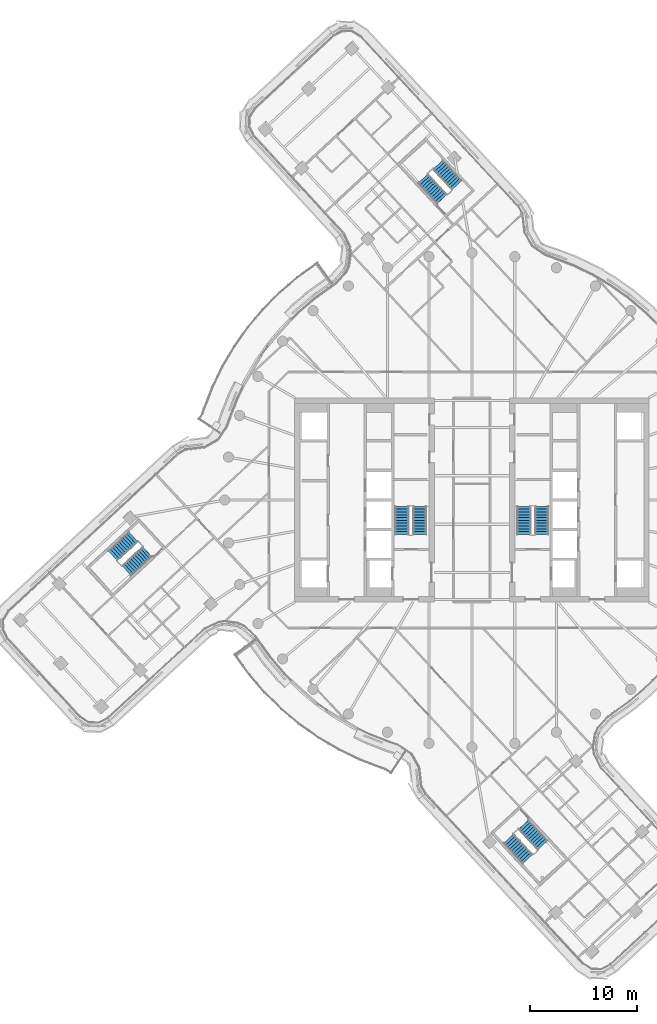
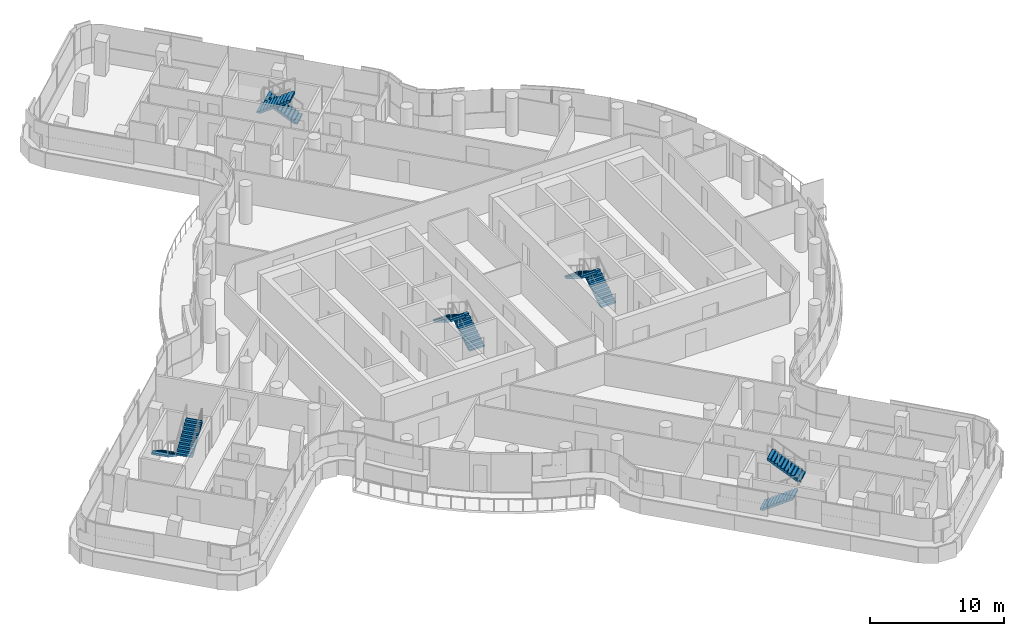
# One storey, part 26 of 34: 10 stair flights, 5 elements without a shape of their own.
"""IFC4 building model written with IfcOpenShell, lengths in metres."""

from ifc_helpers import new_model, si_unit, direction, frame, origin, place, context, subcontext, project, spatial, polyline, outline, extrude, material, type_object, element, aggregate, save


model = new_model("IFC4")

# Units and contexts
model_context = context("Model", 3, precision=1e-05, world=origin(), true_north=direction((0.0, 1.0)))
body_context = subcontext(model_context, "Body", "Model", "MODEL_VIEW")
ifc_project = project(units=[si_unit("LENGTHUNIT", "METRE"), si_unit("AREAUNIT", "SQUARE_METRE"), si_unit("VOLUMEUNIT", "CUBIC_METRE"), si_unit("PLANEANGLEUNIT", "RADIAN"), si_unit("MASSUNIT", "GRAM", prefix="KILO")], contexts=[model_context])

# Site, building, storey
site_placement = place(None, origin())
site = spatial("IfcSite", under=ifc_project, at=site_placement, CompositionType="ELEMENT")
building_placement = place(site_placement, origin())
building = spatial("IfcBuilding", under=site, at=building_placement, Name="Tamarind Cross Interchange Tower", CompositionType="ELEMENT")
storey_placement = place(building_placement, frame((0.0, 0.0, 189.699951171875)))
storey = spatial("IfcBuildingStorey", under=building, at=storey_placement, Name="L47", CompositionType="ELEMENT", Elevation=189.699951171875)

# Stair, stair flights
ifc_material_1 = material(Name="Exit stair")
stair_type = type_object("IfcStairType", Name="Exit stair", PredefinedType="HALF_TURN_STAIR", material=ifc_material_1)
stair_1_placement = place(storey_placement, origin())
stair_1 = element("IfcStair", 1, at=stair_1_placement, inside=storey, type_object=stair_type, Name="L47 exit stair ST1", PredefinedType="HALF_TURN_STAIR")
ifc_material_2 = material(Name="Exit stair flight")
stair_flight_type = type_object("IfcStairFlightType", Name="Exit stair flight", PredefinedType="STRAIGHT", material=ifc_material_2)
stair_flight_1_placement = place(storey_placement, frame((-4.85009765625, -3.199951171875, 0.0), z_axis=(0.0, 0.0, 1.0), x_axis=(0.0, 1.0, 0.0)))
stair_flight_1 = element("IfcStairFlight", 2, at=stair_flight_1_placement, type_object=stair_flight_type, Name="ST1 flight 1", NumberOfRisers=11, NumberOfTreads=10, PredefinedType="STRAIGHT", RiserHeight=0.163636364, TreadLength=0.26, context=body_context, shape_type="SweptSolid", body=[
    extrude(outline(polyline([(0.0, 0.0), (0.0, 0.16357421875), (0.260009765625, 0.16357421875), (0.260009765625, 0.327392578125), (0.52001953125, 0.327392578125), (0.52001953125, 0.490966796875), (0.780029296875, 0.490966796875), (0.780029296875, 0.654541015625), (1.0400390625, 0.654541015625), (1.0400390625, 0.818115234375), (1.300048828125, 0.818115234375), (1.300048828125, 0.98193359375), (1.56005859375, 0.98193359375), (1.56005859375, 1.1455078125), (1.820068359375, 1.1455078125), (1.820068359375, 1.30908203125), (2.080078125, 1.30908203125), (2.080078125, 1.47265625), (2.340087890625, 1.47265625), (2.340087890625, 1.636474609375), (2.60009765625, 1.636474609375), (2.60009765625, 1.800048828125), (2.60009765625, 1.459228515625), (0.281494140625, 0.0), (0.0, 0.0)])), frame((0.0, 0.64990234375, 0.0), z_axis=(0.0, -1.0, 0.0), x_axis=(1.0, 0.0, 0.0)), (0.0, 0.0, 1.0), 1.300048828125),
])
stair_flight_2_placement = place(storey_placement, frame((-6.5, -0.60009765625, 1.800048828125), z_axis=(0.0, 0.0, 1.0), x_axis=(0.0, -1.0, 0.0)))
stair_flight_2 = element("IfcStairFlight", 3, at=stair_flight_2_placement, type_object=stair_flight_type, Name="ST1 flight 2", NumberOfRisers=11, NumberOfTreads=10, PredefinedType="STRAIGHT", RiserHeight=0.163636364, TreadLength=0.26, context=body_context, shape_type="SweptSolid", body=[
    extrude(outline(polyline([(0.0, 0.0), (0.0, 0.16357421875), (0.260009765625, 0.16357421875), (0.260009765625, 0.327392578125), (0.52001953125, 0.327392578125), (0.52001953125, 0.490966796875), (0.780029296875, 0.490966796875), (0.780029296875, 0.654541015625), (1.0400390625, 0.654541015625), (1.0400390625, 0.818115234375), (1.300048828125, 0.818115234375), (1.300048828125, 0.98193359375), (1.56005859375, 0.98193359375), (1.56005859375, 1.1455078125), (1.820068359375, 1.1455078125), (1.820068359375, 1.30908203125), (2.080078125, 1.30908203125), (2.080078125, 1.47265625), (2.340087890625, 1.47265625), (2.340087890625, 1.636474609375), (2.60009765625, 1.636474609375), (2.60009765625, 1.679931640625), (2.612060546875, 1.679931640625), (2.612060546875, 1.466796875), (0.281494140625, 0.0), (0.0, 0.0)])), frame((0.0, 0.64990234375, 0.0), z_axis=(0.0, -1.0, 0.0), x_axis=(1.0, 0.0, 0.0)), (0.0, 0.0, 1.0), 1.300048828125),
])
aggregate(stair_1, [stair_flight_1, stair_flight_2])

stair_2_placement = place(storey_placement, origin())
stair_2 = element("IfcStair", 4, at=stair_2_placement, inside=storey, type_object=stair_type, Name="L47 exit stair ST2", PredefinedType="HALF_TURN_STAIR")
stair_flight_3_placement = place(storey_placement, frame((6.5, -3.199951171875, 0.0), z_axis=(0.0, 0.0, 1.0), x_axis=(0.0, 1.0, 0.0)))
stair_flight_3 = element("IfcStairFlight", 5, at=stair_flight_3_placement, type_object=stair_flight_type, Name="ST2 flight 1", NumberOfRisers=11, NumberOfTreads=10, PredefinedType="STRAIGHT", RiserHeight=0.163636364, TreadLength=0.26, context=body_context, shape_type="SweptSolid", body=[
    extrude(outline(polyline([(0.0, 0.0), (0.0, 0.16357421875), (0.260009765625, 0.16357421875), (0.260009765625, 0.327392578125), (0.52001953125, 0.327392578125), (0.52001953125, 0.490966796875), (0.780029296875, 0.490966796875), (0.780029296875, 0.654541015625), (1.0400390625, 0.654541015625), (1.0400390625, 0.818115234375), (1.300048828125, 0.818115234375), (1.300048828125, 0.98193359375), (1.56005859375, 0.98193359375), (1.56005859375, 1.1455078125), (1.820068359375, 1.1455078125), (1.820068359375, 1.30908203125), (2.080078125, 1.30908203125), (2.080078125, 1.47265625), (2.340087890625, 1.47265625), (2.340087890625, 1.636474609375), (2.60009765625, 1.636474609375), (2.60009765625, 1.800048828125), (2.60009765625, 1.459228515625), (0.281494140625, 0.0), (0.0, 0.0)])), frame((0.0, 0.64990234375, 0.0), z_axis=(0.0, -1.0, 0.0), x_axis=(1.0, 0.0, 0.0)), (0.0, 0.0, 1.0), 1.300048828125),
])
stair_flight_4_placement = place(storey_placement, frame((4.85009765625, -0.60009765625, 1.800048828125), z_axis=(0.0, 0.0, 1.0), x_axis=(0.0, -1.0, 0.0)))
stair_flight_4 = element("IfcStairFlight", 6, at=stair_flight_4_placement, type_object=stair_flight_type, Name="ST2 flight 2", NumberOfRisers=11, NumberOfTreads=10, PredefinedType="STRAIGHT", RiserHeight=0.163636364, TreadLength=0.26, context=body_context, shape_type="SweptSolid", body=[
    extrude(outline(polyline([(0.0, 0.0), (0.0, 0.16357421875), (0.260009765625, 0.16357421875), (0.260009765625, 0.327392578125), (0.52001953125, 0.327392578125), (0.52001953125, 0.490966796875), (0.780029296875, 0.490966796875), (0.780029296875, 0.654541015625), (1.0400390625, 0.654541015625), (1.0400390625, 0.818115234375), (1.300048828125, 0.818115234375), (1.300048828125, 0.98193359375), (1.56005859375, 0.98193359375), (1.56005859375, 1.1455078125), (1.820068359375, 1.1455078125), (1.820068359375, 1.30908203125), (2.080078125, 1.30908203125), (2.080078125, 1.47265625), (2.340087890625, 1.47265625), (2.340087890625, 1.636474609375), (2.60009765625, 1.636474609375), (2.60009765625, 1.679931640625), (2.612060546875, 1.679931640625), (2.612060546875, 1.466796875), (0.281494140625, 0.0), (0.0, 0.0)])), frame((0.0, 0.64990234375, 0.0), z_axis=(0.0, -1.0, 0.0), x_axis=(1.0, 0.0, 0.0)), (0.0, 0.0, 1.0), 1.300048828125),
])
aggregate(stair_2, [stair_flight_3, stair_flight_4])

stair_3_placement = place(storey_placement, origin())
stair_3 = element("IfcStair", 7, at=stair_3_placement, inside=storey, type_object=stair_type, Name="L47 exit stair ST4", PredefinedType="HALF_TURN_STAIR")
stair_flight_5_placement = place(storey_placement, frame((-1.386962890625, 29.305419921875, 0.0), z_axis=(0.0, 0.0, 1.0), x_axis=(-0.679912424958, 0.73329332084, 0.0)))
stair_flight_5 = element("IfcStairFlight", 8, at=stair_flight_5_placement, type_object=stair_flight_type, Name="ST4 flight 1", NumberOfRisers=11, NumberOfTreads=10, PredefinedType="STRAIGHT", RiserHeight=0.163636364, TreadLength=0.26, context=body_context, shape_type="SweptSolid", body=[
    extrude(outline(polyline([(0.0, 0.0), (0.0, 0.16357421875), (0.260009765625, 0.16357421875), (0.260009765625, 0.327392578125), (0.52001953125, 0.327392578125), (0.52001953125, 0.490966796875), (0.780029296875, 0.490966796875), (0.780029296875, 0.654541015625), (1.0400390625, 0.654541015625), (1.0400390625, 0.818115234375), (1.300048828125, 0.818115234375), (1.300048828125, 0.98193359375), (1.56005859375, 0.98193359375), (1.56005859375, 1.1455078125), (1.820068359375, 1.1455078125), (1.820068359375, 1.30908203125), (2.080078125, 1.30908203125), (2.080078125, 1.47265625), (2.340087890625, 1.47265625), (2.340087890625, 1.636474609375), (2.60009765625, 1.636474609375), (2.60009765625, 1.800048828125), (2.60009765625, 1.459228515625), (0.281494140625, 0.0), (0.0, 0.0)])), frame((0.0, 0.64990234375, 0.0), z_axis=(0.0, -1.0, 0.0), x_axis=(1.0, 0.0, 0.0)), (0.0, 0.0, 1.0), 1.300048828125),
])
stair_flight_6_placement = place(storey_placement, frame((-4.5478515625, 29.920166015625, 1.800048828125), z_axis=(0.0, 0.0, 1.0), x_axis=(0.679912424958, -0.73329332084, 0.0)))
stair_flight_6 = element("IfcStairFlight", 9, at=stair_flight_6_placement, type_object=stair_flight_type, Name="ST4 flight 2", NumberOfRisers=11, NumberOfTreads=10, PredefinedType="STRAIGHT", RiserHeight=0.163636364, TreadLength=0.26, context=body_context, shape_type="SweptSolid", body=[
    extrude(outline(polyline([(0.0, 0.0), (0.0, 0.16357421875), (0.260009765625, 0.16357421875), (0.260009765625, 0.327392578125), (0.52001953125, 0.327392578125), (0.52001953125, 0.490966796875), (0.780029296875, 0.490966796875), (0.780029296875, 0.654541015625), (1.0400390625, 0.654541015625), (1.0400390625, 0.818115234375), (1.300048828125, 0.818115234375), (1.300048828125, 0.98193359375), (1.56005859375, 0.98193359375), (1.56005859375, 1.1455078125), (1.820068359375, 1.1455078125), (1.820068359375, 1.30908203125), (2.080078125, 1.30908203125), (2.080078125, 1.47265625), (2.340087890625, 1.47265625), (2.340087890625, 1.636474609375), (2.60009765625, 1.636474609375), (2.60009765625, 1.679931640625), (2.612060546875, 1.679931640625), (2.612060546875, 1.466796875), (0.281494140625, 0.0), (0.0, 0.0)])), frame((0.0, 0.64990234375, 0.0), z_axis=(0.0, -1.0, 0.0), x_axis=(1.0, 0.0, 0.0)), (0.0, 0.0, 1.0), 1.300048828125),
])
aggregate(stair_3, [stair_flight_5, stair_flight_6])

stair_4_placement = place(storey_placement, origin())
stair_4 = element("IfcStair", 10, at=stair_4_placement, inside=storey, type_object=stair_type, Name="L47 exit stair ST5", PredefinedType="HALF_TURN_STAIR")
stair_flight_7_placement = place(storey_placement, frame((-31.50537109375, -3.4267578125, 0.0), z_axis=(0.0, 0.0, 1.0), x_axis=(-0.73329332084, -0.679912424958, 0.0)))
stair_flight_7 = element("IfcStairFlight", 11, at=stair_flight_7_placement, type_object=stair_flight_type, Name="ST5 flight 1", NumberOfRisers=11, NumberOfTreads=10, PredefinedType="STRAIGHT", RiserHeight=0.163636364, TreadLength=0.26, context=body_context, shape_type="SweptSolid", body=[
    extrude(outline(polyline([(0.0, 0.0), (0.0, 0.16357421875), (0.260009765625, 0.16357421875), (0.260009765625, 0.327392578125), (0.52001953125, 0.327392578125), (0.52001953125, 0.490966796875), (0.780029296875, 0.490966796875), (0.780029296875, 0.654541015625), (1.0400390625, 0.654541015625), (1.0400390625, 0.818115234375), (1.300048828125, 0.818115234375), (1.300048828125, 0.98193359375), (1.56005859375, 0.98193359375), (1.56005859375, 1.1455078125), (1.820068359375, 1.1455078125), (1.820068359375, 1.30908203125), (2.080078125, 1.30908203125), (2.080078125, 1.47265625), (2.340087890625, 1.47265625), (2.340087890625, 1.636474609375), (2.60009765625, 1.636474609375), (2.60009765625, 1.800048828125), (2.60009765625, 1.459228515625), (0.281494140625, 0.0), (0.0, 0.0)])), frame((0.0, 0.64990234375, 0.0), z_axis=(0.0, -1.0, 0.0), x_axis=(1.0, 0.0, 0.0)), (0.0, 0.0, 1.0), 1.300048828125),
])
stair_flight_8_placement = place(storey_placement, frame((-32.1201171875, -6.587646484375, 1.800048828125), z_axis=(0.0, 0.0, 1.0), x_axis=(0.73329332084, 0.679912424958, 0.0)))
stair_flight_8 = element("IfcStairFlight", 12, at=stair_flight_8_placement, type_object=stair_flight_type, Name="ST5 flight 2", NumberOfRisers=11, NumberOfTreads=10, PredefinedType="STRAIGHT", RiserHeight=0.163636364, TreadLength=0.26, context=body_context, shape_type="SweptSolid", body=[
    extrude(outline(polyline([(0.0, 0.0), (0.0, 0.16357421875), (0.260009765625, 0.16357421875), (0.260009765625, 0.327392578125), (0.52001953125, 0.327392578125), (0.52001953125, 0.490966796875), (0.780029296875, 0.490966796875), (0.780029296875, 0.654541015625), (1.0400390625, 0.654541015625), (1.0400390625, 0.818115234375), (1.300048828125, 0.818115234375), (1.300048828125, 0.98193359375), (1.56005859375, 0.98193359375), (1.56005859375, 1.1455078125), (1.820068359375, 1.1455078125), (1.820068359375, 1.30908203125), (2.080078125, 1.30908203125), (2.080078125, 1.47265625), (2.340087890625, 1.47265625), (2.340087890625, 1.636474609375), (2.60009765625, 1.636474609375), (2.60009765625, 1.679931640625), (2.612060546875, 1.679931640625), (2.612060546875, 1.466796875), (0.281494140625, 0.0), (0.0, 0.0)])), frame((0.0, 0.64990234375, 0.0), z_axis=(0.0, -1.0, 0.0), x_axis=(1.0, 0.0, 0.0)), (0.0, 0.0, 1.0), 1.300048828125),
])
aggregate(stair_4, [stair_flight_7, stair_flight_8])

stair_5_placement = place(storey_placement, origin())
stair_5 = element("IfcStair", 13, at=stair_5_placement, inside=storey, type_object=stair_type, Name="L47 exit stair ST6", PredefinedType="HALF_TURN_STAIR")
stair_flight_9_placement = place(storey_placement, frame((3.4267578125, -31.50537109375, 0.0), z_axis=(0.0, 0.0, 1.0), x_axis=(0.679912424958, -0.73329332084, 0.0)))
stair_flight_9 = element("IfcStairFlight", 14, at=stair_flight_9_placement, type_object=stair_flight_type, Name="ST6 flight 1", NumberOfRisers=11, NumberOfTreads=10, PredefinedType="STRAIGHT", RiserHeight=0.163636364, TreadLength=0.26, context=body_context, shape_type="SweptSolid", body=[
    extrude(outline(polyline([(0.0, 0.0), (0.0, 0.16357421875), (0.260009765625, 0.16357421875), (0.260009765625, 0.327392578125), (0.52001953125, 0.327392578125), (0.52001953125, 0.490966796875), (0.780029296875, 0.490966796875), (0.780029296875, 0.654541015625), (1.0400390625, 0.654541015625), (1.0400390625, 0.818115234375), (1.300048828125, 0.818115234375), (1.300048828125, 0.98193359375), (1.56005859375, 0.98193359375), (1.56005859375, 1.1455078125), (1.820068359375, 1.1455078125), (1.820068359375, 1.30908203125), (2.080078125, 1.30908203125), (2.080078125, 1.47265625), (2.340087890625, 1.47265625), (2.340087890625, 1.636474609375), (2.60009765625, 1.636474609375), (2.60009765625, 1.800048828125), (2.60009765625, 1.459228515625), (0.281494140625, 0.0), (0.0, 0.0)])), frame((0.0, 0.64990234375, 0.0), z_axis=(0.0, -1.0, 0.0), x_axis=(1.0, 0.0, 0.0)), (0.0, 0.0, 1.0), 1.300048828125),
])
stair_flight_10_placement = place(storey_placement, frame((6.587646484375, -32.1201171875, 1.800048828125), z_axis=(0.0, 0.0, 1.0), x_axis=(-0.679912424958, 0.73329332084, 0.0)))
stair_flight_10 = element("IfcStairFlight", 15, at=stair_flight_10_placement, type_object=stair_flight_type, Name="ST6 flight 2", NumberOfRisers=11, NumberOfTreads=10, PredefinedType="STRAIGHT", RiserHeight=0.163636364, TreadLength=0.26, context=body_context, shape_type="SweptSolid", body=[
    extrude(outline(polyline([(0.0, 0.0), (0.0, 0.16357421875), (0.260009765625, 0.16357421875), (0.260009765625, 0.327392578125), (0.52001953125, 0.327392578125), (0.52001953125, 0.490966796875), (0.780029296875, 0.490966796875), (0.780029296875, 0.654541015625), (1.0400390625, 0.654541015625), (1.0400390625, 0.818115234375), (1.300048828125, 0.818115234375), (1.300048828125, 0.98193359375), (1.56005859375, 0.98193359375), (1.56005859375, 1.1455078125), (1.820068359375, 1.1455078125), (1.820068359375, 1.30908203125), (2.080078125, 1.30908203125), (2.080078125, 1.47265625), (2.340087890625, 1.47265625), (2.340087890625, 1.636474609375), (2.60009765625, 1.636474609375), (2.60009765625, 1.679931640625), (2.612060546875, 1.679931640625), (2.612060546875, 1.466796875), (0.281494140625, 0.0), (0.0, 0.0)])), frame((0.0, 0.64990234375, 0.0), z_axis=(0.0, -1.0, 0.0), x_axis=(1.0, 0.0, 0.0)), (0.0, 0.0, 1.0), 1.300048828125),
])
aggregate(stair_5, [stair_flight_9, stair_flight_10])

save(model, "model.ifc")
